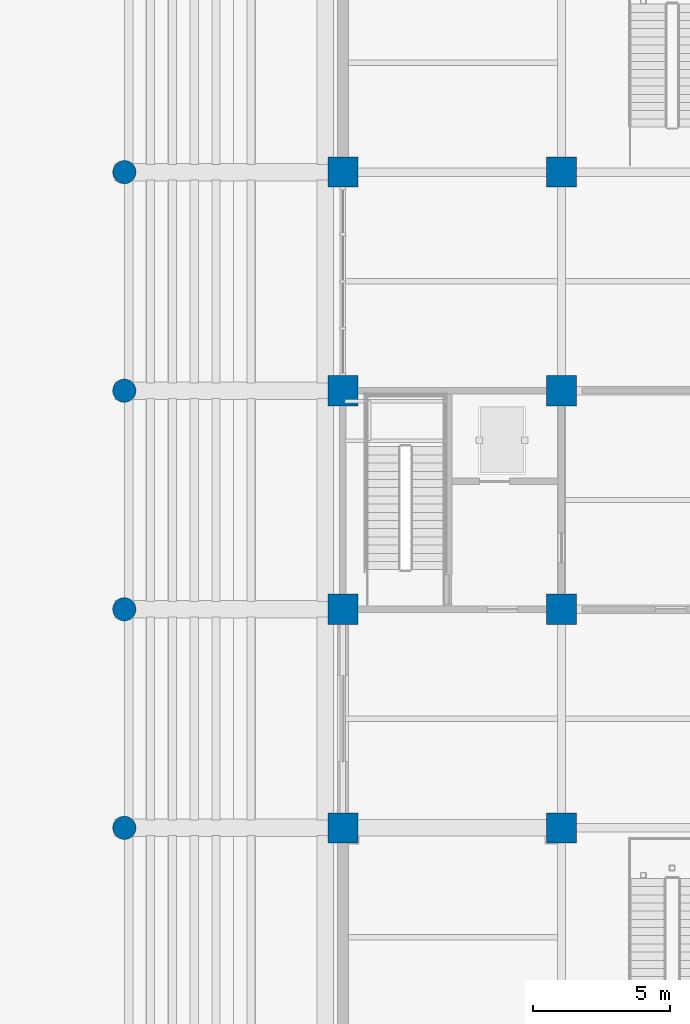
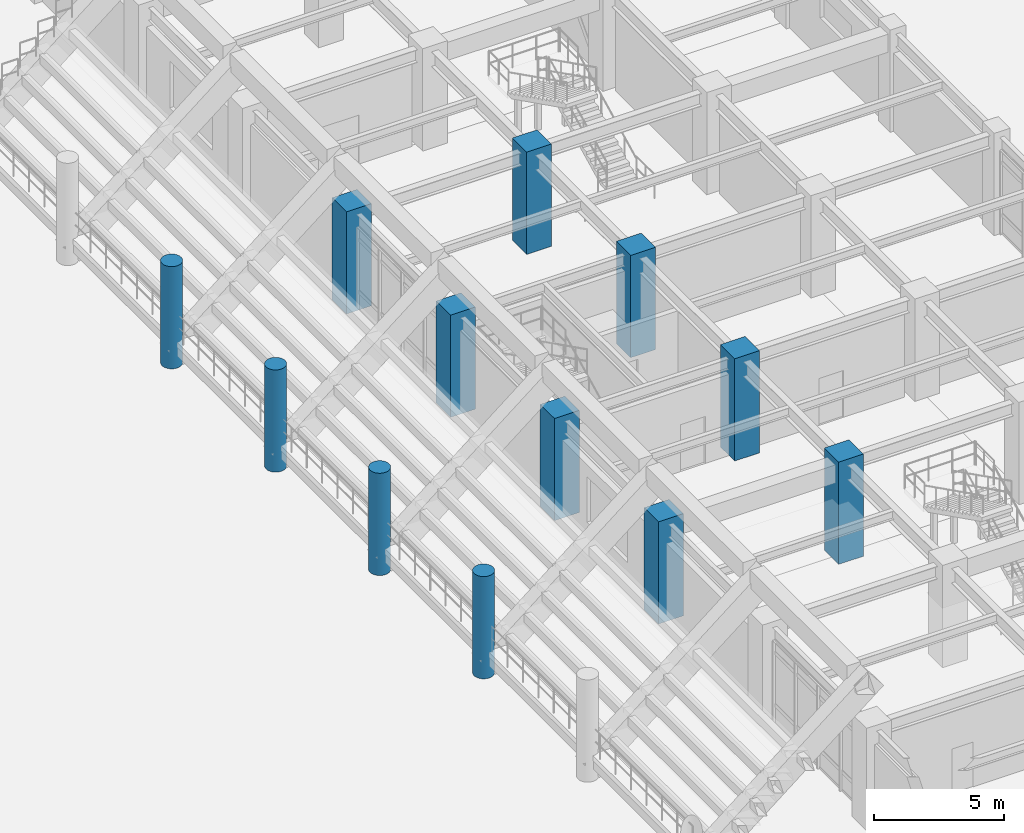
# One storey, part 12 of 125: 12 columns.
"""IFC4 building model written with IfcOpenShell, lengths in metres."""

from ifc_helpers import new_model, si_unit, direction, frame, origin, origin_2d, place, context, subcontext, project, spatial, rectangle, circle, extrude, material, material_profile, profile_set, type_object, element, save


model = new_model("IFC4")

# Units and contexts
model_context = context("Model", 3, precision=1e-05, world=origin(), true_north=direction((0.0, 1.0)))
body_context = subcontext(model_context, "Body", "Model", "MODEL_VIEW")
ifc_project = project(units=[si_unit("LENGTHUNIT", "METRE"), si_unit("AREAUNIT", "SQUARE_METRE"), si_unit("VOLUMEUNIT", "CUBIC_METRE"), si_unit("PLANEANGLEUNIT", "RADIAN"), si_unit("MASSUNIT", "GRAM", prefix="KILO")], contexts=[model_context])

# Site, building, storey
site_placement = place(None, origin())
site = spatial("IfcSite", under=ifc_project, at=site_placement, CompositionType="ELEMENT")
building_placement = place(site_placement, origin())
building = spatial("IfcBuilding", under=site, at=building_placement, Name="Haebicheon Civic Stadium", CompositionType="ELEMENT")
storey_placement = place(building_placement, origin())
storey = spatial("IfcBuildingStorey", under=building, at=storey_placement, Name="L01", CompositionType="ELEMENT", Elevation=0.0)

# Columns
ifc_material_1 = material(Name="Concrete C40/50", Category="concrete")
ifc_material_profile_1 = material_profile(ifc_material_1, rectangle(XDim=1.10009765625, YDim=1.10009765625, at=origin_2d()), Name="RC-COL-1100x1100")
ifc_profile_set_1 = profile_set([ifc_material_profile_1], Name="Concrete C40/50")
column_type_1 = type_object("IfcColumnType", Name="COL-RC-1100", PredefinedType="COLUMN", material=ifc_profile_set_1)
for number, where, z_axis, x_axis, name in (
    (1, (144.0, 96.0, 0.0), (0.0, 0.0, 1.0), (1.0, 0.0, 0.0), "L01 column 19/N"),
    (2, (144.0, 104.0, 0.0), (0.0, 0.0, 1.0), (1.0, 0.0, 0.0), "L01 column 19/P"),
    (3, (144.0, 112.0, 0.0), (0.0, 0.0, 1.0), (1.0, 0.0, 0.0), "L01 column 19/Q"),
    (4, (144.0, 120.0, 0.0), (0.0, 0.0, 1.0), (1.0, 0.0, 0.0), "L01 column 19/R"),
    (5, (152.0, 96.0, 0.0), (0.0, 0.0, 1.0), (1.0, 0.0, 0.0), "L01 column 20/N"),
    (6, (152.0, 104.0, 0.0), (0.0, 0.0, 1.0), (1.0, 0.0, 0.0), "L01 column 20/P"),
    (7, (152.0, 112.0, 0.0), (0.0, 0.0, 1.0), (1.0, 0.0, 0.0), "L01 column 20/Q"),
    (8, (152.0, 120.0, 0.0), (0.0, 0.0, 1.0), (1.0, 0.0, 0.0), "L01 column 20/R"),
):
    element("IfcColumn", number, at=place(storey_placement, frame(where, z_axis=z_axis, x_axis=x_axis)), inside=storey, type_object=column_type_1, material=ifc_profile_set_1, Name=name, PredefinedType="COLUMN", context=body_context, shape_type="SweptSolid", body=[
        extrude(rectangle(XDim=1.10009765625, YDim=1.10009765625, at=origin_2d()), origin(), (0.0, 0.0, 1.0), 4.800048828125),
    ])
ifc_material_2 = material(Name="Concrete C40/50", Category="concrete")
ifc_material_profile_2 = material_profile(ifc_material_2, circle(Radius=0.425048828125, at=origin_2d()), Name="RC-COL-D850")
ifc_profile_set_2 = profile_set([ifc_material_profile_2], Name="Concrete C40/50")
column_type_2 = type_object("IfcColumnType", Name="COL-RC-D850", PredefinedType="COLUMN", material=ifc_profile_set_2)
for number, where, z_axis, x_axis, name in (
    (9, (136.0, 96.0, 0.0), (0.0, 0.0, 1.0), (1.0, 0.0, 0.0), "Bowl/canopy support column 136/96 (L01)"),
    (10, (136.0, 104.0, 0.0), (0.0, 0.0, 1.0), (1.0, 0.0, 0.0), "Bowl/canopy support column 136/104 (L01)"),
    (11, (136.0, 112.0, 0.0), (0.0, 0.0, 1.0), (1.0, 0.0, 0.0), "Bowl/canopy support column 136/112 (L01)"),
    (12, (136.0, 120.0, 0.0), (0.0, 0.0, 1.0), (1.0, 0.0, 0.0), "Bowl/canopy support column 136/120 (L01)"),
):
    element("IfcColumn", number, at=place(storey_placement, frame(where, z_axis=z_axis, x_axis=x_axis)), inside=storey, type_object=column_type_2, material=ifc_profile_set_2, Name=name, PredefinedType="COLUMN", context=body_context, shape_type="SweptSolid", body=[
        extrude(circle(Radius=0.425048828125, at=origin_2d()), origin(), (0.0, 0.0, 1.0), 4.800048828125),
    ])

save(model, "model.ifc")
